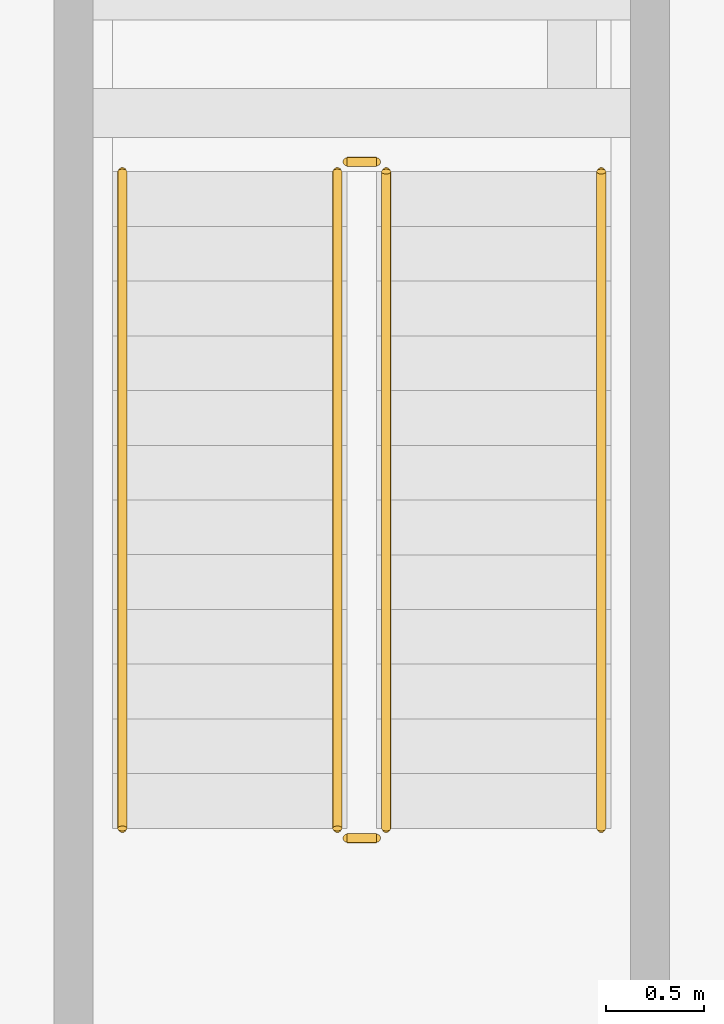
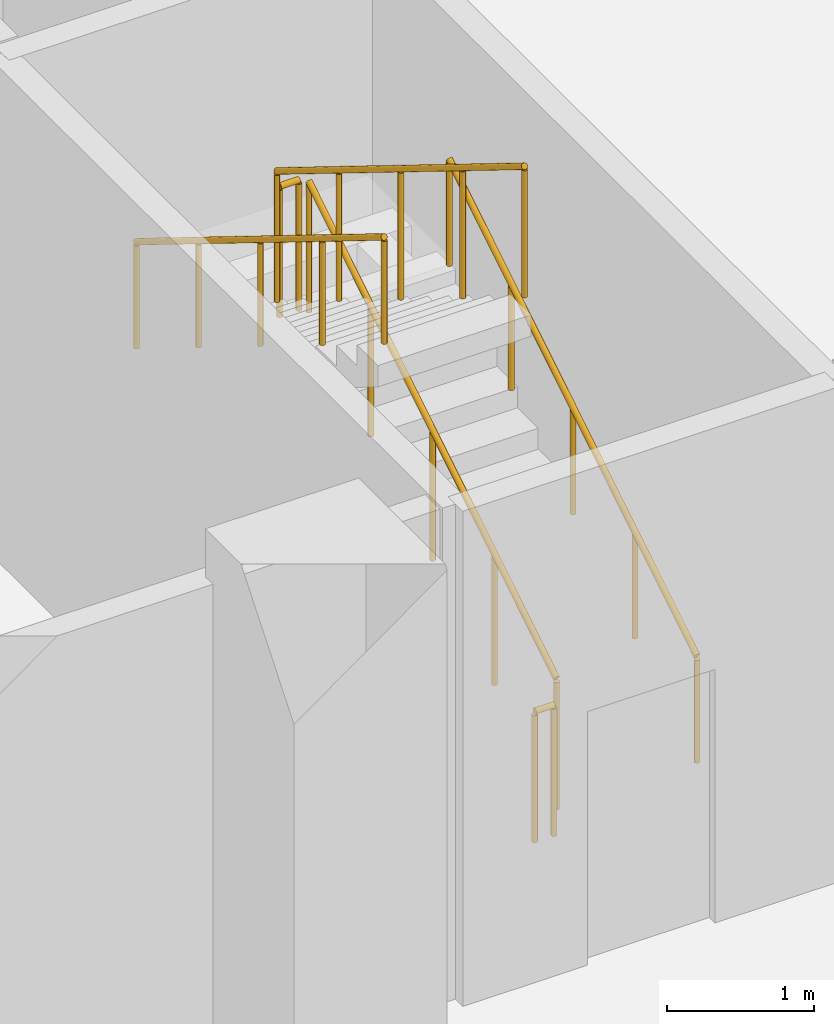
# One storey, part 36 of 39: 6 railings.
"""IFC4 building model written with IfcOpenShell, lengths in metres."""

from ifc_helpers import new_model, si_unit, direction, frame, origin, origin_2d, place, context, subcontext, project, spatial, circle, extrude, material, type_object, element, save


model = new_model("IFC4")

# Units and contexts
model_context = context("Model", 3, precision=1e-05, world=origin(), true_north=direction((0.0, 1.0)))
body_context = subcontext(model_context, "Body", "Model", "MODEL_VIEW")
ifc_project = project(units=[si_unit("LENGTHUNIT", "METRE"), si_unit("AREAUNIT", "SQUARE_METRE"), si_unit("VOLUMEUNIT", "CUBIC_METRE"), si_unit("PLANEANGLEUNIT", "RADIAN"), si_unit("MASSUNIT", "GRAM", prefix="KILO")], contexts=[model_context])

# Site, building, storey
site_placement = place(None, origin())
site = spatial("IfcSite", under=ifc_project, at=site_placement, CompositionType="ELEMENT")
building_placement = place(site_placement, origin())
building = spatial("IfcBuilding", under=site, at=building_placement, Name="Ogive Gate Towers", CompositionType="ELEMENT")
storey_placement = place(building_placement, frame((0.0, 0.0, -9.0)))
storey = spatial("IfcBuildingStorey", under=building, at=storey_placement, Name="B2", CompositionType="ELEMENT", Elevation=-9.0)

# Railings
ifc_material_1 = material(Name="Painted steel", Category="steel")
railing_type_1 = type_object("IfcRailingType", Name="Car park stair guard 1100", PredefinedType="GUARDRAIL", material=ifc_material_1)
railing_1_placement = place(storey_placement, frame((-42.10009765625, 64.89990234375, 0.173095703125)))
element("IfcRailing", 1, at=railing_1_placement, inside=storey, type_object=railing_type_1, Name="B2 CS2 stair guard 1", PredefinedType="GUARDRAIL", context=body_context, shape_type="SweptSolid", body=[
    extrude(circle(Radius=0.02392578125, at=origin_2d()), frame((0.0, 0.0, 1.076171875), z_axis=(0.0, 0.850623216509, 0.525775754039), x_axis=(-1.0, 0.0, 0.0)), (0.0, 0.0, 1.0), 3.9501953125),
    extrude(circle(Radius=0.02099609375, at=origin_2d()), origin(), (0.0, 0.0, 1.0), 1.052001953125),
    extrude(circle(Radius=0.02099609375, at=origin_2d()), frame((0.0, 0.840087890625, 0.519287109375)), (0.0, 0.0, 1.0), 1.052001953125),
    extrude(circle(Radius=0.02099609375, at=origin_2d()), frame((0.0, 1.68017578125, 1.03857421875)), (0.0, 0.0, 1.0), 1.052001953125),
    extrude(circle(Radius=0.02099609375, at=origin_2d()), frame((0.0, 2.52001953125, 1.5576171875)), (0.0, 0.0, 1.0), 1.052001953125),
    extrude(circle(Radius=0.02099609375, at=origin_2d()), frame((0.0, 3.360107421875, 2.076904296875)), (0.0, 0.0, 1.0), 1.052001953125),
])
railing_2_placement = place(storey_placement, frame((-42.14990234375, 68.31005859375, 2.25)))
element("IfcRailing", 2, at=railing_2_placement, inside=storey, type_object=railing_type_1, Name="B2 CS2 stair guard 2", PredefinedType="GUARDRAIL", context=body_context, shape_type="SweptSolid", body=[
    extrude(circle(Radius=0.02392578125, at=origin_2d()), frame((0.0, 0.0, 1.076171875), z_axis=(-1.0, 0.0, 0.0), x_axis=(0.0, -1.0, 0.0)), (0.0, 0.0, 1.0), 0.150146484375),
    extrude(circle(Radius=0.02099609375, at=origin_2d()), origin(), (0.0, 0.0, 1.0), 1.052001953125),
    extrude(circle(Radius=0.02099609375, at=origin_2d()), frame((-0.150146484375, 0.0, 0.0)), (0.0, 0.0, 1.0), 1.052001953125),
])
railing_3_placement = place(storey_placement, frame((-42.35009765625, 68.260009765625, 2.423095703125)))
element("IfcRailing", 3, at=railing_3_placement, inside=storey, type_object=railing_type_1, Name="B2 CS2 stair guard 3", PredefinedType="GUARDRAIL", context=body_context, shape_type="SweptSolid", body=[
    extrude(circle(Radius=0.02392578125, at=origin_2d()), frame((0.0, 0.0, 1.076171875), z_axis=(0.0, -0.850623216509, 0.525775754039), x_axis=(1.0, 0.0, 0.0)), (0.0, 0.0, 1.0), 3.9501953125),
    extrude(circle(Radius=0.02099609375, at=origin_2d()), origin(), (0.0, 0.0, 1.0), 1.052001953125),
    extrude(circle(Radius=0.02099609375, at=origin_2d()), frame((0.0, -0.840087890625, 0.519287109375)), (0.0, 0.0, 1.0), 1.052001953125),
    extrude(circle(Radius=0.02099609375, at=origin_2d()), frame((0.0, -1.68017578125, 1.03857421875)), (0.0, 0.0, 1.0), 1.052001953125),
    extrude(circle(Radius=0.02099609375, at=origin_2d()), frame((0.0, -2.52001953125, 1.5576171875)), (0.0, 0.0, 1.0), 1.052001953125),
    extrude(circle(Radius=0.02099609375, at=origin_2d()), frame((0.0, -3.360107421875, 2.076904296875)), (0.0, 0.0, 1.0), 1.052001953125),
])
railing_4_placement = place(storey_placement, frame((-42.14990234375, 64.85009765625, 0.0)))
element("IfcRailing", 4, at=railing_4_placement, inside=storey, type_object=railing_type_1, Name="B2 CS2 stair guard 4", PredefinedType="GUARDRAIL", context=body_context, shape_type="SweptSolid", body=[
    extrude(circle(Radius=0.02392578125, at=origin_2d()), frame((0.0, 0.0, 1.076171875), z_axis=(-1.0, 0.0, 0.0), x_axis=(0.0, -1.0, 0.0)), (0.0, 0.0, 1.0), 0.150146484375),
    extrude(circle(Radius=0.02099609375, at=origin_2d()), origin(), (0.0, 0.0, 1.0), 1.052001953125),
    extrude(circle(Radius=0.02099609375, at=origin_2d()), frame((-0.150146484375, 0.0, 0.0)), (0.0, 0.0, 1.0), 1.052001953125),
])
ifc_material_2 = material(Name="Stainless steel handrail", Category="steel")
railing_type_2 = type_object("IfcRailingType", Name="Car park stair handrail 900", PredefinedType="HANDRAIL", material=ifc_material_2)
railing_5_placement = place(storey_placement, frame((-41.0, 64.89990234375, 0.173095703125)))
element("IfcRailing", 5, at=railing_5_placement, inside=storey, type_object=railing_type_2, Name="B2 CS2 stair handrail 1", PredefinedType="HANDRAIL", context=body_context, shape_type="SweptSolid", body=[
    extrude(circle(Radius=0.02392578125, at=origin_2d()), frame((0.0, 0.0, 0.8759765625), z_axis=(0.0, 0.850623216509, 0.525775754039), x_axis=(-1.0, 0.0, 0.0)), (0.0, 0.0, 1.0), 3.9501953125),
    extrude(circle(Radius=0.02099609375, at=origin_2d()), origin(), (0.0, 0.0, 1.0), 0.851806640625),
    extrude(circle(Radius=0.02099609375, at=origin_2d()), frame((0.0, 0.840087890625, 0.519287109375)), (0.0, 0.0, 1.0), 0.851806640625),
    extrude(circle(Radius=0.02099609375, at=origin_2d()), frame((0.0, 1.68017578125, 1.03857421875)), (0.0, 0.0, 1.0), 0.851806640625),
    extrude(circle(Radius=0.02099609375, at=origin_2d()), frame((0.0, 2.52001953125, 1.5576171875)), (0.0, 0.0, 1.0), 0.851806640625),
    extrude(circle(Radius=0.02099609375, at=origin_2d()), frame((0.0, 3.360107421875, 2.076904296875)), (0.0, 0.0, 1.0), 0.851806640625),
])
railing_6_placement = place(storey_placement, frame((-43.449951171875, 68.260009765625, 2.423095703125)))
element("IfcRailing", 6, at=railing_6_placement, inside=storey, type_object=railing_type_2, Name="B2 CS2 stair handrail 2", PredefinedType="HANDRAIL", context=body_context, shape_type="SweptSolid", body=[
    extrude(circle(Radius=0.02392578125, at=origin_2d()), frame((0.0, 0.0, 0.8759765625), z_axis=(0.0, -0.850623216509, 0.525775754039), x_axis=(1.0, 0.0, 0.0)), (0.0, 0.0, 1.0), 3.9501953125),
    extrude(circle(Radius=0.02099609375, at=origin_2d()), origin(), (0.0, 0.0, 1.0), 0.851806640625),
    extrude(circle(Radius=0.02099609375, at=origin_2d()), frame((0.0, -0.840087890625, 0.519287109375)), (0.0, 0.0, 1.0), 0.851806640625),
    extrude(circle(Radius=0.02099609375, at=origin_2d()), frame((0.0, -1.68017578125, 1.03857421875)), (0.0, 0.0, 1.0), 0.851806640625),
    extrude(circle(Radius=0.02099609375, at=origin_2d()), frame((0.0, -2.52001953125, 1.5576171875)), (0.0, 0.0, 1.0), 0.851806640625),
    extrude(circle(Radius=0.02099609375, at=origin_2d()), frame((0.0, -3.360107421875, 2.076904296875)), (0.0, 0.0, 1.0), 0.851806640625),
])

save(model, "model.ifc")
